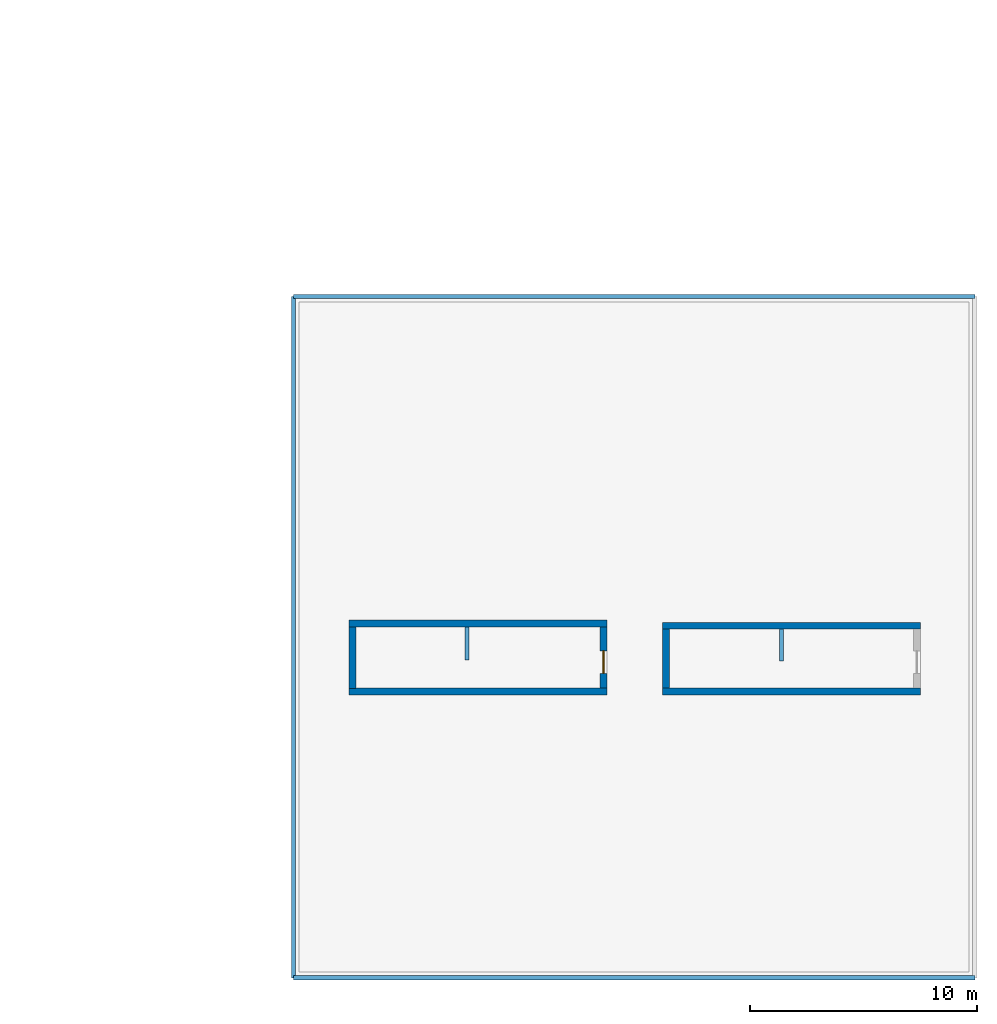
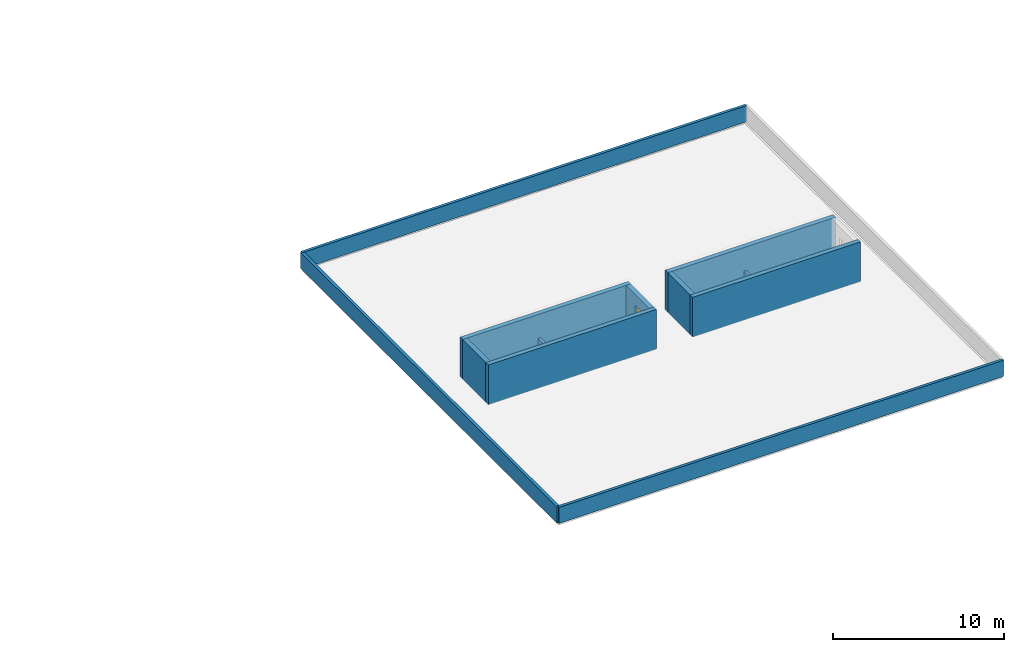
# One storey, part 8 of 17: 12 walls, 1 door, 1 opening.
"""IFC4 building model written with IfcOpenShell, lengths in metres."""

from ifc_helpers import new_model, si_unit, direction, frame, frame_2d, origin, place, context, subcontext, project, spatial, rectangle, extrude, material, layer, layer_set, type_object, element, fill, save


model = new_model("IFC4")

# Units and contexts
model_context = context("Model", 3, precision=1e-05, world=origin(), true_north=direction((0.0, 1.0)))
body_context = subcontext(model_context, "Body", "Model", "MODEL_VIEW")
ifc_project = project(units=[si_unit("LENGTHUNIT", "METRE"), si_unit("AREAUNIT", "SQUARE_METRE"), si_unit("VOLUMEUNIT", "CUBIC_METRE"), si_unit("PLANEANGLEUNIT", "RADIAN"), si_unit("MASSUNIT", "GRAM", prefix="KILO"), si_unit("POWERUNIT", "WATT"), si_unit("THERMODYNAMICTEMPERATUREUNIT", "KELVIN")], contexts=[model_context])

# Site, building, storey
site_placement = place(None, origin())
site = spatial("IfcSite", under=ifc_project, at=site_placement, CompositionType="ELEMENT")
building_placement = place(site_placement, origin())
building = spatial("IfcBuilding", under=site, at=building_placement, Name="Ruvembo Vaulted Housing Court", CompositionType="ELEMENT")
storey_placement = place(building_placement, frame((0.0, 0.0, 30.10009765625)))
storey = spatial("IfcBuildingStorey", under=building, at=storey_placement, Name="L09", CompositionType="ELEMENT", Elevation=30.10009765625)

# Walls
ifc_material_1 = material(Name="Concrete C35/45", Category="concrete")
ifc_layer_1 = layer(ifc_material_1, 0.300048828125, Name="Concrete C35/45")
ifc_layer_set_1 = layer_set([ifc_layer_1], Name="Concrete C35/45")
wall_type_1 = type_object("IfcWallType", Name="WL-CORE-300", PredefinedType="SHEAR", material=ifc_layer_set_1)
for number, where, z_axis, x_axis, name in (
    (1, (104.449951171875, 12.60009765625, 0.0), (0.0, 0.0, 1.0), (1.0, 0.0, 0.0), "Core C1 L09 Headhouse South Wall"),
    (2, (115.800048828125, 15.60009765625, 0.0), (0.0, 0.0, 1.0), (-1.0, 0.0, 0.0), "Core C1 L09 Headhouse North Wall"),
):
    element("IfcWall", number, at=place(storey_placement, frame(where, z_axis=z_axis, x_axis=x_axis)), inside=storey, type_object=wall_type_1, Name=name, PredefinedType="SHEAR", context=body_context, shape_type="SweptSolid", body=[
        extrude(rectangle(XDim=11.35009765625, YDim=0.300048828125, at=frame_2d((5.675048828125, 0.0))), origin(), (0.0, 0.0, 1.0), 2.849853515625),
    ])
wall_1_placement = place(storey_placement, frame((104.60009765625, 15.449951171875, 0.0), z_axis=(0.0, 0.0, 1.0), x_axis=(0.0, -1.0, 0.0)))
element("IfcWall", 3, at=wall_1_placement, inside=storey, type_object=wall_type_1, Name="Core C1 L09 Headhouse West Wall", PredefinedType="SHEAR", context=body_context, shape_type="SweptSolid", body=[
    extrude(rectangle(XDim=2.699951171875, YDim=0.300048828125, at=frame_2d((1.35009765625, 0.0))), origin(), (0.0, 0.0, 1.0), 2.849853515625),
])

# Wall, opening, door
wall_2_placement = place(storey_placement, frame((115.64990234375, 12.75, 0.0), z_axis=(0.0, 0.0, 1.0), x_axis=(0.0, 1.0, 0.0)))
wall_2 = element("IfcWall", 4, at=wall_2_placement, inside=storey, type_object=wall_type_1, Name="Core C1 L09 Headhouse East Wall", PredefinedType="SHEAR", context=body_context, shape_type="SweptSolid", body=[
    extrude(rectangle(XDim=2.699951171875, YDim=0.300048828125, at=frame_2d((1.35009765625, 0.0))), origin(), (0.0, 0.0, 1.0), 2.849853515625),
])
opening_placement = place(wall_2_placement, frame((0.64990234375, 0.0, 0.0)))
opening = element("IfcOpeningElement", 5, at=opening_placement, cuts=wall_2, Name="Opening HD1", PredefinedType="OPENING", context=body_context, shape_type="SweptSolid", body=[
    extrude(rectangle(XDim=1.0, YDim=2.050048828125, at=frame_2d((0.5, 1.02490234375))), frame((0.0, 0.159912109375, 0.0), z_axis=(0.0, -1.0, 0.0), x_axis=(1.0, 0.0, 0.0)), (0.0, 0.0, 1.0), 0.320068359375),
])
ifc_material_2 = material(Name="Thermally Broken Glazed Aluminium", Category="aluminium")
door_type = type_object("IfcDoorType", Name="DR-HEADHOUSE-1000x2050", OperationType="NOTDEFINED", PredefinedType="TRAPDOOR", material=ifc_material_2)
door_placement = place(opening_placement, frame((1.0, 0.0, 0.0), z_axis=(0.0, 0.0, 1.0), x_axis=(-1.0, 0.0, 0.0)))
door = element("IfcDoor", 6, at=door_placement, inside=storey, type_object=door_type, Name="Core C1 L09 Stair Headhouse Roof Door", OperationType="SINGLE_SWING_LEFT", OverallHeight=2.050048828125, OverallWidth=1.0, PredefinedType="TRAPDOOR", context=body_context, shape_type="SweptSolid", body=[
    extrude(rectangle(XDim=1.0, YDim=2.050048828125, at=frame_2d((0.5, 1.02490234375))), frame((0.0, 0.02490234375, 0.0), z_axis=(0.0, -1.0, 0.0), x_axis=(1.0, 0.0, 0.0)), (0.0, 0.0, 1.0), 0.050048828125),
])
fill(opening, door)

# Walls
for number, where, z_axis, x_axis, name in (
    (7, (118.25, 12.60009765625, 0.0), (0.0, 0.0, 1.0), (1.0, 0.0, 0.0), "Core C2 L09 Headhouse South Wall"),
    (8, (129.60009765625, 15.5, 0.0), (0.0, 0.0, 1.0), (-1.0, 0.0, 0.0), "Core C2 L09 Headhouse North Wall"),
):
    element("IfcWall", number, at=place(storey_placement, frame(where, z_axis=z_axis, x_axis=x_axis)), inside=storey, type_object=wall_type_1, Name=name, PredefinedType="SHEAR", context=body_context, shape_type="SweptSolid", body=[
        extrude(rectangle(XDim=11.35009765625, YDim=0.300048828125, at=frame_2d((5.675048828125, 0.0))), origin(), (0.0, 0.0, 1.0), 2.849853515625),
    ])
wall_3_placement = place(storey_placement, frame((118.39990234375, 15.35009765625, 0.0), z_axis=(0.0, 0.0, 1.0), x_axis=(0.0, -1.0, 0.0)))
element("IfcWall", 9, at=wall_3_placement, inside=storey, type_object=wall_type_1, Name="Core C2 L09 Headhouse West Wall", PredefinedType="SHEAR", context=body_context, shape_type="SweptSolid", body=[
    extrude(rectangle(XDim=2.60009765625, YDim=0.300048828125, at=frame_2d((1.300048828125, 0.0))), origin(), (0.0, 0.0, 1.0), 2.849853515625),
])
ifc_material_3 = material(Name="Concrete C30/37", Category="concrete")
ifc_layer_2 = layer(ifc_material_3, 0.169921875, Name="Concrete C30/37")
ifc_layer_set_2 = layer_set([ifc_layer_2], Name="Concrete C30/37")
wall_type_2 = type_object("IfcWallType", Name="WL-PARAPET-170", PredefinedType="PARAPET", material=ifc_layer_set_2)
wall_4_placement = place(storey_placement, frame((109.635009765625, 15.449951171875, 0.0), z_axis=(0.0, 0.0, 1.0), x_axis=(0.0, -1.0, 0.0)))
element("IfcWall", 10, at=wall_4_placement, inside=storey, type_object=wall_type_2, Name="Core C1 L09 Stairwell Solid Guard Wall 1", PredefinedType="PARAPET", context=body_context, shape_type="SweptSolid", body=[
    extrude(rectangle(XDim=1.449951171875, YDim=0.169921875, at=frame_2d((0.72509765625, 0.0))), origin(), (0.0, 0.0, 1.0), 1.14990234375),
])
wall_5_placement = place(storey_placement, frame((123.485107421875, 15.35009765625, 0.0), z_axis=(0.0, 0.0, 1.0), x_axis=(0.0, -1.0, 0.0)))
element("IfcWall", 11, at=wall_5_placement, inside=storey, type_object=wall_type_2, Name="Core C2 L09 Stairwell Solid Guard Wall 1", PredefinedType="PARAPET", context=body_context, shape_type="SweptSolid", body=[
    extrude(rectangle(XDim=1.400146484375, YDim=0.169921875, at=frame_2d((0.7001953125, 0.0))), origin(), (0.0, 0.0, 1.0), 1.14990234375),
])
ifc_layer_3 = layer(ifc_material_3, 0.18994140625, Name="Concrete C30/37")
ifc_layer_set_3 = layer_set([ifc_layer_3], Name="Concrete C30/37")
wall_type_3 = type_object("IfcWallType", Name="WL-PARAPET-190", PredefinedType="PARAPET", material=ifc_layer_set_3)
for number, where, z_axis, x_axis, name in (
    (12, (102.0, 0.0, 0.0), (0.0, 0.0, 1.0), (1.0, 0.0, 0.0), "Block C L09 Roof Parapet 1"),
    (13, (132.0, 30.0, 0.0), (0.0, 0.0, 1.0), (-1.0, 0.0, 0.0), "Block C L09 Roof Parapet 3"),
    (14, (102.0, 30.0, 0.0), (0.0, 0.0, 1.0), (0.0, -1.0, 0.0), "Block C L09 Roof Parapet 4"),
):
    element("IfcWall", number, at=place(storey_placement, frame(where, z_axis=z_axis, x_axis=x_axis)), inside=storey, type_object=wall_type_3, Name=name, PredefinedType="PARAPET", context=body_context, shape_type="SweptSolid", body=[
        extrude(rectangle(XDim=30.0, YDim=0.18994140625, at=frame_2d((15.0, 0.0))), origin(), (0.0, 0.0, 1.0), 1.14990234375),
    ])

save(model, "model.ifc")
